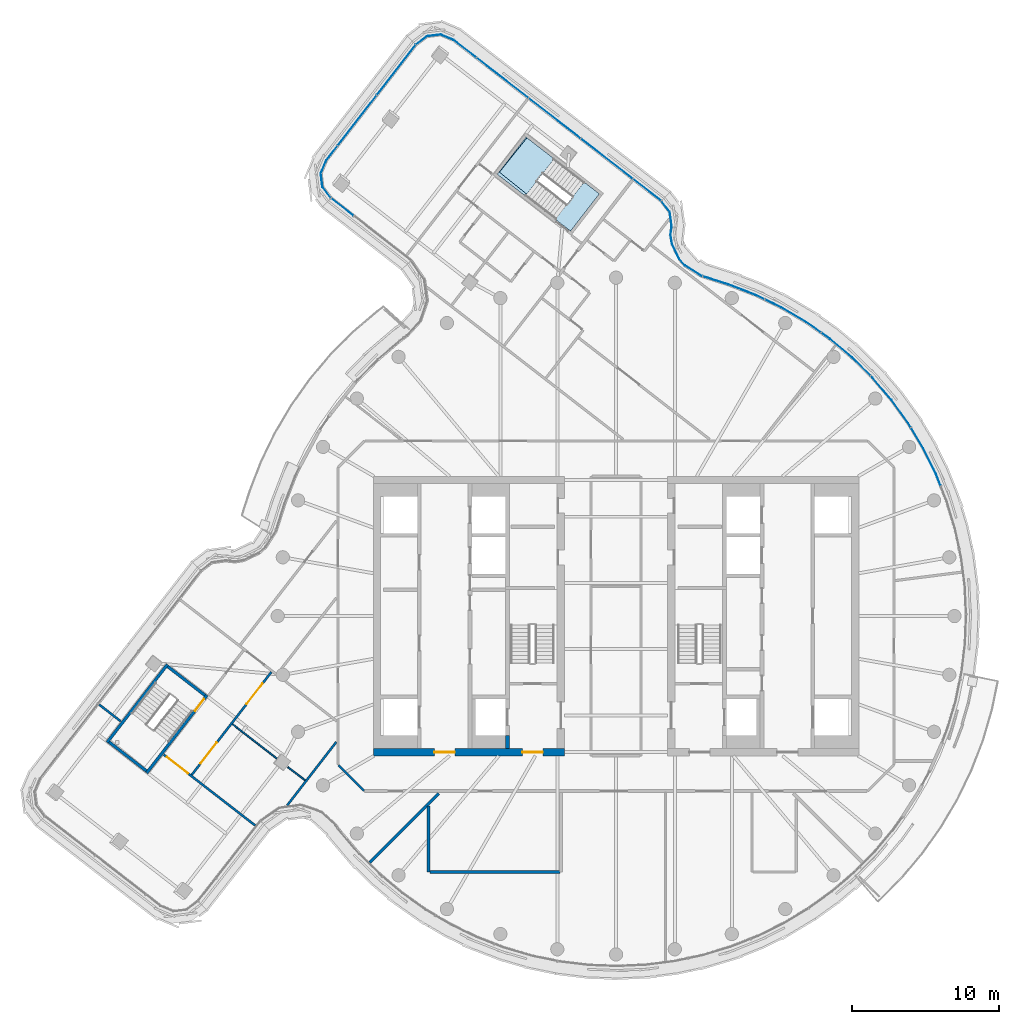
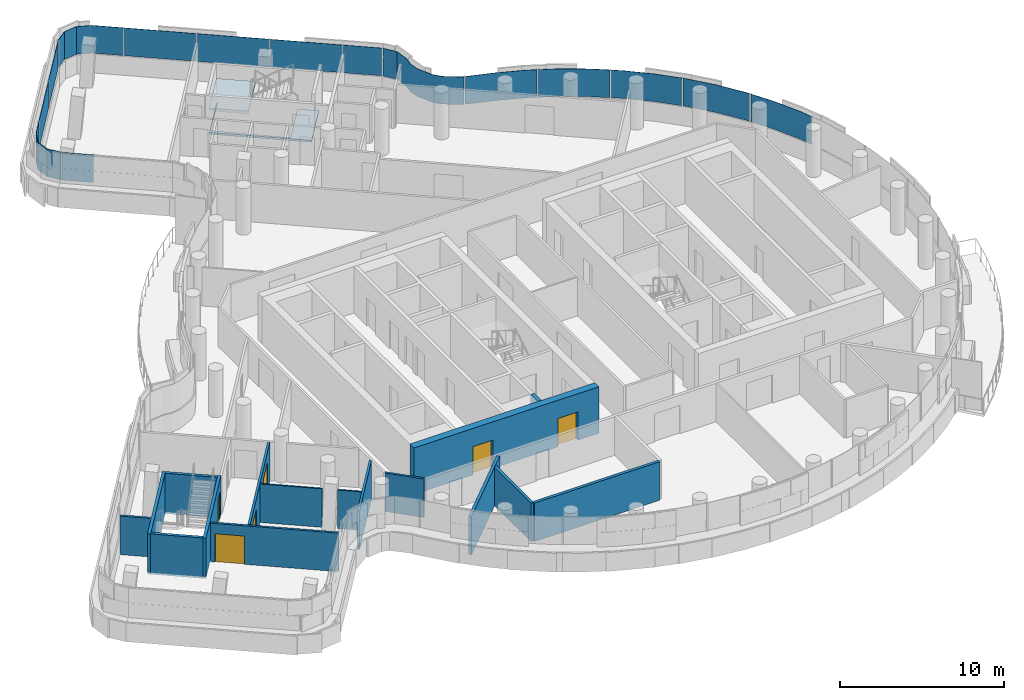
# One storey, part 16 of 26: 16 walls, 15 plates, 6 doors, 2 slabs, 6 openings, 5 elements without a shape of their own.
"""IFC4 building model written with IfcOpenShell, lengths in metres."""

from ifc_helpers import new_model, si_unit, direction, frame, frame_2d, origin, place, context, subcontext, project, spatial, polyline, rectangle, outline, extrude, material, layer, layer_set, type_object, element, fill, aggregate, save


model = new_model("IFC4")

# Units and contexts
model_context = context("Model", 3, precision=1e-05, world=origin(), true_north=direction((0.0, 1.0)))
body_context = subcontext(model_context, "Body", "Model", "MODEL_VIEW")
ifc_project = project(units=[si_unit("LENGTHUNIT", "METRE"), si_unit("AREAUNIT", "SQUARE_METRE"), si_unit("VOLUMEUNIT", "CUBIC_METRE"), si_unit("PLANEANGLEUNIT", "RADIAN"), si_unit("MASSUNIT", "GRAM", prefix="KILO")], contexts=[model_context])

# Site, building, storey
site_placement = place(None, origin())
site = spatial("IfcSite", under=ifc_project, at=site_placement, CompositionType="ELEMENT")
building_placement = place(site_placement, origin())
building = spatial("IfcBuilding", under=site, at=building_placement, Name="Tamarind Cross Interchange Tower", CompositionType="ELEMENT")
storey_placement = place(building_placement, frame((0.0, 0.0, 223.5)))
storey = spatial("IfcBuildingStorey", under=building, at=storey_placement, Name="L56", CompositionType="ELEMENT", Elevation=223.5)

# Slab
ifc_material_1 = material(Name="Concrete C35", Category="concrete")
ifc_layer_1 = layer(ifc_material_1, 0.139892578125)
ifc_layer_set_1 = layer_set([ifc_layer_1], Name="Concrete C35")
slab_type_1 = type_object("IfcSlabType", Name="Composite slab 140 Concrete C35", PredefinedType="FLOOR", material=ifc_layer_set_1)
slab_1_placement = place(storey_placement, frame((0.0, 0.0, -0.139892578125)))
element("IfcSlab", 1, at=slab_1_placement, inside=storey, type_object=slab_type_1, Name="Floor slab L56", PredefinedType="FLOOR", context=body_context, shape_type="SweptSolid", body=[
    extrude(outline(polyline([(-6.11669921875, 32.556396484375), (-8.076416015625, 30.0263671875), (-3.095703125, 26.168701171875), (-1.135986328125, 28.698486328125), (-2.10791015625, 29.451171875), (-2.17333984375, 29.501953125), (-4.062255859375, 27.063232421875), (-7.9287109375, 30.17236328125), (-6.052001953125, 32.506103515625), (-6.11669921875, 32.556396484375)])), origin(), (0.0, 0.0, 1.0), 0.139892578125),
])

# Stair, slab
ifc_material_2 = material(Name="Exit stair")
stair_type = type_object("IfcStairType", Name="Exit stair", PredefinedType="HALF_TURN_STAIR", material=ifc_material_2)
stair_placement = place(storey_placement, origin())
stair = element("IfcStair", 2, at=stair_placement, inside=storey, type_object=stair_type, Name="L56 exit stair ST4", PredefinedType="HALF_TURN_STAIR")
ifc_material_3 = material(Name="Concrete C40", Category="concrete")
ifc_layer_2 = layer(ifc_material_3, 0.199951171875)
ifc_layer_set_2 = layer_set([ifc_layer_2], Name="Concrete C40")
slab_type_2 = type_object("IfcSlabType", Name="Stair landing", PredefinedType="LANDING", material=ifc_layer_set_2)
slab_2_placement = place(storey_placement, frame((0.0, 0.0, 1.60009765625)))
slab_2 = element("IfcSlab", 3, at=slab_2_placement, type_object=slab_type_2, Name="ST4 landing 1", PredefinedType="LANDING", context=body_context, shape_type="SweptSolid", body=[
    extrude(outline(polyline([(-4.2099609375, 31.079345703125), (-6.11669921875, 32.556396484375), (-8.076171875, 30.0263671875), (-6.16943359375, 28.54931640625), (-4.2099609375, 31.079345703125)])), origin(), (0.0, 0.0, 1.0), 0.199951171875),
])
aggregate(stair, [slab_2])

# Curtain wall, plates
ifc_material_4 = material(Name="Aluminium 6063-T6", Category="aluminium")
ifc_layer_3 = layer(ifc_material_4, 0.139892578125)
ifc_layer_set_3 = layer_set([ifc_layer_3], Name="Aluminium 6063-T6")
curtain_wall_type = type_object("IfcCurtainWallType", Name="Hotel curtain wall, 4.5 m bays", PredefinedType="NOTDEFINED", material=ifc_layer_set_3)
curtain_wall_1_placement = place(storey_placement, origin())
curtain_wall_1 = element("IfcCurtainWall", 4, at=curtain_wall_1_placement, inside=storey, type_object=curtain_wall_type, Name="CWS-L56-02", PredefinedType="NOTDEFINED")
ifc_material_5 = material(Name="Laminated low-e glass 6+1.52+6", Category="glass")
ifc_layer_4 = layer(ifc_material_5, 0.02392578125)
ifc_layer_set_4 = layer_set([ifc_layer_4], Name="Laminated low-e glass 6+1.52+6")
plate_type = type_object("IfcPlateType", Name="Vision panel CW2", PredefinedType="CURTAIN_PANEL", material=ifc_layer_set_4)
plate_1_placement = place(storey_placement, frame((0.0, 0.0, 1.39990234375)))
plate_1 = element("IfcPlate", 5, at=plate_1_placement, type_object=plate_type, Name="CWP-L56-02-16", PredefinedType="CURTAIN_PANEL", context=body_context, shape_type="SweptSolid", body=[
    extrude(outline(polyline([(22.0478515625, 8.86669921875), (21.7392578125, 9.6474609375), (20.868408203125, 11.40966796875), (20.04345703125, 12.780517578125), (20.06396484375, 12.79296875), (20.889404296875, 11.421142578125), (21.76123046875, 9.6572265625), (22.070068359375, 8.87548828125), (22.0478515625, 8.86669921875)])), origin(), (0.0, 0.0, 1.0), 2.06005859375),
])
plate_2_placement = place(storey_placement, frame((0.0, 0.0, 1.39990234375)))
plate_2 = element("IfcPlate", 6, at=plate_2_placement, type_object=plate_type, Name="CWP-L56-02-17", PredefinedType="CURTAIN_PANEL", context=body_context, shape_type="SweptSolid", body=[
    extrude(outline(polyline([(20.012451171875, 12.83203125), (19.854736328125, 13.093994140625), (18.705810546875, 14.68896484375), (17.4287109375, 16.183349609375), (17.310791015625, 16.300537109375), (17.32763671875, 16.317626953125), (17.4462890625, 16.19970703125), (18.724609375, 14.703857421875), (19.874755859375, 13.107177734375), (20.032958984375, 12.84423828125), (20.012451171875, 12.83203125)])), origin(), (0.0, 0.0, 1.0), 2.06005859375),
])
plate_3_placement = place(storey_placement, frame((0.0, 0.0, 1.39990234375)))
plate_3 = element("IfcPlate", 7, at=plate_3_placement, type_object=plate_type, Name="CWP-L56-02-18", PredefinedType="CURTAIN_PANEL", context=body_context, shape_type="SweptSolid", body=[
    extrude(outline(polyline([(17.26806640625, 16.3427734375), (16.032958984375, 17.5673828125), (14.52734375, 18.83154296875), (13.9560546875, 19.235595703125), (13.969970703125, 19.25537109375), (14.5419921875, 18.850341796875), (16.049072265625, 17.585205078125), (17.28515625, 16.35986328125), (17.26806640625, 16.3427734375)])), origin(), (0.0, 0.0, 1.0), 2.06005859375),
])
plate_4_placement = place(storey_placement, frame((0.0, 0.0, 1.39990234375)))
plate_4 = element("IfcPlate", 8, at=plate_4_placement, type_object=plate_type, Name="CWP-L56-02-19", PredefinedType="CURTAIN_PANEL", context=body_context, shape_type="SweptSolid", body=[
    extrude(outline(polyline([(13.906982421875, 19.270263671875), (12.922607421875, 19.966796875), (11.229736328125, 20.9658203125), (10.119140625, 21.502685546875), (10.12939453125, 21.5244140625), (11.240966796875, 20.98681640625), (12.935791015625, 19.987060546875), (13.9208984375, 19.2900390625), (13.906982421875, 19.270263671875)])), origin(), (0.0, 0.0, 1.0), 2.06005859375),
])
plate_5_placement = place(storey_placement, frame((0.0, 0.0, 1.39990234375)))
plate_5 = element("IfcPlate", 9, at=plate_5_placement, type_object=plate_type, Name="CWP-L56-02-20", PredefinedType="CURTAIN_PANEL", context=body_context, shape_type="SweptSolid", body=[
    extrude(outline(polyline([(10.06494140625, 21.52880859375), (9.4599609375, 21.821533203125), (7.623291015625, 22.529052734375), (5.907470703125, 23.07763671875), (5.914794921875, 23.1005859375), (7.63134765625, 22.5517578125), (9.469482421875, 21.843505859375), (10.075439453125, 21.550537109375), (10.06494140625, 21.52880859375)])), origin(), (0.0, 0.0, 1.0), 2.06005859375),
])
plate_6_placement = place(storey_placement, frame((0.0, 0.0, 1.39990234375)))
plate_6 = element("IfcPlate", 10, at=plate_6_placement, type_object=plate_type, Name="CWP-L56-02-21", PredefinedType="CURTAIN_PANEL", context=body_context, shape_type="SweptSolid", body=[
    extrude(outline(polyline([(5.850341796875, 23.095947265625), (5.768798828125, 23.1220703125), (4.679931640625, 23.818603515625), (4.28271484375, 24.269775390625), (3.789306640625, 25.312255859375), (3.692138671875, 25.9052734375), (3.767333984375, 26.54248046875), (3.636962890625, 27.468017578125), (3.08544921875, 28.18701171875), (3.1044921875, 28.20166015625), (3.659912109375, 27.477783203125), (3.79150390625, 26.542724609375), (3.71630859375, 25.90576171875), (3.8125, 25.3193359375), (4.302978515625, 24.282958984375), (4.695556640625, 23.8369140625), (5.779052734375, 23.143798828125), (5.857666015625, 23.118896484375), (5.850341796875, 23.095947265625)])), origin(), (0.0, 0.0, 1.0), 2.06005859375),
])
aggregate(curtain_wall_1, [plate_1, plate_2, plate_3, plate_4, plate_5, plate_6])

curtain_wall_2_placement = place(storey_placement, origin())
curtain_wall_2 = element("IfcCurtainWall", 11, at=curtain_wall_2_placement, inside=storey, type_object=curtain_wall_type, Name="CWS-L56-03", PredefinedType="NOTDEFINED")
plate_7_placement = place(storey_placement, frame((0.0, 0.0, 1.39990234375)))
plate_7 = element("IfcPlate", 12, at=plate_7_placement, type_object=plate_type, Name="CWP-L56-03-00", PredefinedType="CURTAIN_PANEL", context=body_context, shape_type="SweptSolid", body=[
    extrude(outline(polyline([(3.045654296875, 28.22705078125), (1.161376953125, 29.6865234375), (1.176025390625, 29.70556640625), (3.060302734375, 28.24609375), (3.045654296875, 28.22705078125)])), origin(), (0.0, 0.0, 1.0), 2.06005859375),
])
plate_8_placement = place(storey_placement, frame((0.0, 0.0, 1.39990234375)))
plate_8 = element("IfcPlate", 13, at=plate_8_placement, type_object=plate_type, Name="CWP-L56-03-01", PredefinedType="CURTAIN_PANEL", context=body_context, shape_type="SweptSolid", body=[
    extrude(outline(polyline([(1.114013671875, 29.72314453125), (-2.385986328125, 32.43408203125), (-2.37109375, 32.453125), (1.128662109375, 29.7421875), (1.114013671875, 29.72314453125)])), origin(), (0.0, 0.0, 1.0), 2.06005859375),
])
plate_9_placement = place(storey_placement, frame((0.0, 0.0, 1.39990234375)))
plate_9 = element("IfcPlate", 14, at=plate_9_placement, type_object=plate_type, Name="CWP-L56-03-02", PredefinedType="CURTAIN_PANEL", context=body_context, shape_type="SweptSolid", body=[
    extrude(outline(polyline([(-2.433349609375, 32.470703125), (-5.93310546875, 35.181640625), (-5.91845703125, 35.20068359375), (-2.418701171875, 32.48974609375), (-2.433349609375, 32.470703125)])), origin(), (0.0, 0.0, 1.0), 2.06005859375),
])
plate_10_placement = place(storey_placement, frame((0.0, 0.0, 1.39990234375)))
plate_10 = element("IfcPlate", 15, at=plate_10_placement, type_object=plate_type, Name="CWP-L56-03-03", PredefinedType="CURTAIN_PANEL", context=body_context, shape_type="SweptSolid", body=[
    extrude(outline(polyline([(-5.98046875, 35.218505859375), (-9.48046875, 37.92919921875), (-9.465576171875, 37.9482421875), (-5.9658203125, 35.2373046875), (-5.98046875, 35.218505859375)])), origin(), (0.0, 0.0, 1.0), 2.06005859375),
])
plate_11_placement = place(storey_placement, frame((0.0, 0.0, 1.39990234375)))
plate_11 = element("IfcPlate", 16, at=plate_11_placement, type_object=plate_type, Name="CWP-L56-03-04", PredefinedType="CURTAIN_PANEL", context=body_context, shape_type="SweptSolid", body=[
    extrude(outline(polyline([(-9.52783203125, 37.966064453125), (-11.055908203125, 39.149658203125), (-11.9326171875, 39.517333984375), (-12.846923828125, 39.401123046875), (-13.5810546875, 38.84326171875), (-13.595458984375, 38.8623046875), (-12.856201171875, 39.42431640625), (-11.92919921875, 39.5419921875), (-11.043701171875, 39.170654296875), (-9.51318359375, 37.98486328125), (-9.52783203125, 37.966064453125)])), origin(), (0.0, 0.0, 1.0), 2.06005859375),
])
aggregate(curtain_wall_2, [plate_7, plate_8, plate_9, plate_10, plate_11])

curtain_wall_3_placement = place(storey_placement, origin())
curtain_wall_3 = element("IfcCurtainWall", 17, at=curtain_wall_3_placement, inside=storey, type_object=curtain_wall_type, Name="CWS-L56-04", PredefinedType="NOTDEFINED")
plate_12_placement = place(storey_placement, frame((0.0, 0.0, 1.39990234375)))
plate_12 = element("IfcPlate", 18, at=plate_12_placement, type_object=plate_type, Name="CWP-L56-04-00", PredefinedType="CURTAIN_PANEL", context=body_context, shape_type="SweptSolid", body=[
    extrude(outline(polyline([(-13.62109375, 38.803466796875), (-16.245361328125, 35.415283203125), (-16.264404296875, 35.43017578125), (-13.639892578125, 38.818115234375), (-13.62109375, 38.803466796875)])), origin(), (0.0, 0.0, 1.0), 2.06005859375),
])
plate_13_placement = place(storey_placement, frame((0.0, 0.0, 1.39990234375)))
plate_13 = element("IfcPlate", 19, at=plate_13_placement, type_object=plate_type, Name="CWP-L56-04-01", PredefinedType="CURTAIN_PANEL", context=body_context, shape_type="SweptSolid", body=[
    extrude(outline(polyline([(-16.281982421875, 35.367919921875), (-18.906494140625, 31.979736328125), (-18.92529296875, 31.99462890625), (-16.301025390625, 35.382568359375), (-16.281982421875, 35.367919921875)])), origin(), (0.0, 0.0, 1.0), 2.06005859375),
])
plate_14_placement = place(storey_placement, frame((0.0, 0.0, 1.39990234375)))
plate_14 = element("IfcPlate", 20, at=plate_14_placement, type_object=plate_type, Name="CWP-L56-04-02", PredefinedType="CURTAIN_PANEL", context=body_context, shape_type="SweptSolid", body=[
    extrude(outline(polyline([(-18.943115234375, 31.932373046875), (-19.69287109375, 30.96435546875), (-20.060791015625, 30.087646484375), (-19.944580078125, 29.17333984375), (-19.38623046875, 28.43896484375), (-19.405517578125, 28.424560546875), (-19.967529296875, 29.1640625), (-20.08544921875, 30.091064453125), (-19.7138671875, 30.9765625), (-18.962158203125, 31.947021484375), (-18.943115234375, 31.932373046875)])), origin(), (0.0, 0.0, 1.0), 2.06005859375),
])
aggregate(curtain_wall_3, [plate_12, plate_13, plate_14])

# Curtain wall, plate
curtain_wall_4_placement = place(storey_placement, origin())
curtain_wall_4 = element("IfcCurtainWall", 21, at=curtain_wall_4_placement, inside=storey, type_object=curtain_wall_type, Name="CWS-L56-05", PredefinedType="NOTDEFINED")
plate_15_placement = place(storey_placement, frame((0.0, 0.0, 1.39990234375)))
plate_15 = element("IfcPlate", 22, at=plate_15_placement, type_object=plate_type, Name="CWP-L56-05-00", PredefinedType="CURTAIN_PANEL", context=body_context, shape_type="SweptSolid", body=[
    extrude(outline(polyline([(-19.3466796875, 28.39892578125), (-17.840087890625, 27.222412109375), (-17.85498046875, 27.20361328125), (-19.361328125, 28.3798828125), (-19.3466796875, 28.39892578125)])), origin(), (0.0, 0.0, 1.0), 2.06005859375),
])
aggregate(curtain_wall_4, [plate_15])

# Wall, openings, doors
ifc_material_6 = material(Name="Concrete C50", Category="concrete")
ifc_layer_5 = layer(ifc_material_6, 0.5)
ifc_layer_set_5 = layer_set([ifc_layer_5], Name="Concrete C50")
wall_type_1 = type_object("IfcWallType", Name="Core wall 500 mm Concrete C50", PredefinedType="SHEAR", material=ifc_layer_set_5)
wall_1_placement = place(storey_placement, frame((-16.5, -9.25, 0.0), z_axis=(0.0, 0.0, 1.0), x_axis=(1.0, 0.0, 0.0)))
wall_1 = element("IfcWall", 23, at=wall_1_placement, inside=storey, type_object=wall_type_1, Name="Core wall CWL-L56-W-S", PredefinedType="SHEAR", context=body_context, shape_type="SweptSolid", body=[
    extrude(rectangle(XDim=13.0, YDim=0.5, at=frame_2d((6.5, 0.0))), origin(), (0.0, 0.0, 1.0), 3.4599609375),
])
opening_1_placement = place(wall_1_placement, frame((4.14990234375, 0.0, 0.0)))
opening_1 = element("IfcOpeningElement", 24, at=opening_1_placement, cuts=wall_1, Name="Opening DCW1", PredefinedType="OPENING", context=body_context, shape_type="SweptSolid", body=[
    extrude(rectangle(XDim=1.39990234375, YDim=2.10009765625, at=frame_2d((0.699951171875, 1.050048828125))), frame((0.0, 0.260009765625, 0.0), z_axis=(0.0, -1.0, 0.0), x_axis=(1.0, 0.0, 0.0)), (0.0, 0.0, 1.0), 0.52001953125),
])
opening_2_placement = place(wall_1_placement, frame((10.125, 0.0, 0.0)))
opening_2 = element("IfcOpeningElement", 25, at=opening_2_placement, cuts=wall_1, Name="Opening DCWF", PredefinedType="OPENING", context=body_context, shape_type="SweptSolid", body=[
    extrude(rectangle(XDim=1.39990234375, YDim=2.10009765625, at=frame_2d((0.699951171875, 1.050048828125))), frame((0.0, 0.260009765625, 0.0), z_axis=(0.0, -1.0, 0.0), x_axis=(1.0, 0.0, 0.0)), (0.0, 0.0, 1.0), 0.52001953125),
])
ifc_material_7 = material(Name="Steel, fire-resisting", Category="steel")
door_type_1 = type_object("IfcDoorType", Name="Core fire door 1400 x 2100 FD90", OperationType="SINGLE_SWING_LEFT", PredefinedType="DOOR", material=ifc_material_7)
door_1_placement = place(opening_1_placement, origin())
door_1 = element("IfcDoor", 26, at=door_1_placement, inside=storey, type_object=door_type_1, Name="L56 lift lobby door", OperationType="SINGLE_SWING_LEFT", OverallHeight=2.10009765625, OverallWidth=1.39990234375, PredefinedType="DOOR", context=body_context, shape_type="SweptSolid", body=[
    extrude(rectangle(XDim=1.39990234375, YDim=2.10009765625, at=frame_2d((0.699951171875, 1.050048828125))), frame((0.0, 0.02490234375, 0.0), z_axis=(0.0, -1.0, 0.0), x_axis=(1.0, 0.0, 0.0)), (0.0, 0.0, 1.0), 0.050048828125),
])
fill(opening_1, door_1)
door_2_placement = place(opening_2_placement, origin())
door_2 = element("IfcDoor", 27, at=door_2_placement, inside=storey, type_object=door_type_1, Name="L56 firefighting lobby end door", OperationType="SINGLE_SWING_LEFT", OverallHeight=2.10009765625, OverallWidth=1.39990234375, PredefinedType="DOOR", context=body_context, shape_type="SweptSolid", body=[
    extrude(rectangle(XDim=1.39990234375, YDim=2.10009765625, at=frame_2d((0.699951171875, 1.050048828125))), frame((0.0, 0.02490234375, 0.0), z_axis=(0.0, -1.0, 0.0), x_axis=(1.0, 0.0, 0.0)), (0.0, 0.0, 1.0), 0.050048828125),
])
fill(opening_2, door_2)

# Walls
ifc_layer_6 = layer(ifc_material_6, 0.25)
ifc_layer_set_6 = layer_set([ifc_layer_6], Name="Concrete C50")
wall_type_2 = type_object("IfcWallType", Name="Core web wall 250 mm Concrete C50", PredefinedType="SHEAR", material=ifc_layer_set_6)
wall_2_placement = place(storey_placement, frame((-7.375, -9.0, 0.0), z_axis=(0.0, 0.0, 1.0), x_axis=(0.0, 1.0, 0.0)))
element("IfcWall", 28, at=wall_2_placement, inside=storey, type_object=wall_type_2, Name="Core wall CWL-L56-W-BW", PredefinedType="SHEAR", context=body_context, shape_type="SweptSolid", body=[
    extrude(rectangle(XDim=0.875, YDim=0.25, at=frame_2d((0.4375, 0.0))), origin(), (0.0, 0.0, 1.0), 3.4599609375),
])
ifc_material_8 = material(Name="Gypsum board partition on steel studs", Category="steel")
ifc_layer_7 = layer(ifc_material_8, 0.10009765625)
ifc_layer_set_7 = layer_set([ifc_layer_7], Name="Gypsum board partition on steel studs")
wall_type_3 = type_object("IfcWallType", Name="Partition 100 mm EI 90", PredefinedType="PARTITIONING", material=ifc_layer_set_7)
wall_3_placement = place(storey_placement, frame((-26.07470703125, -7.343017578125, 0.0), z_axis=(0.0, 0.0, 1.0), x_axis=(0.790607822881, -0.612322848177, 0.0)))
element("IfcWall", 29, at=wall_3_placement, inside=storey, type_object=wall_type_3, Name="Partition L56-008", PredefinedType="PARTITIONING", context=body_context, shape_type="SweptSolid", body=[
    extrude(rectangle(XDim=3.81640625, YDim=0.10009765625, at=frame_2d((1.908203125, 0.0))), origin(), (0.0, 0.0, 1.0), 2.864013671875),
])
wall_4_placement = place(storey_placement, frame((-22.302978515625, -10.26416015625, 0.0), z_axis=(0.0, 0.0, 1.0), x_axis=(0.790625450637, -0.612300087216, 0.0)))
element("IfcWall", 30, at=wall_4_placement, inside=storey, type_object=wall_type_3, Name="Partition L56-009", PredefinedType="PARTITIONING", context=body_context, shape_type="SweptSolid", body=[
    extrude(rectangle(XDim=1.474609375, YDim=0.10009765625, at=frame_2d((0.7373046875, 0.0))), origin(), (0.0, 0.0, 1.0), 2.864013671875),
])
ifc_layer_8 = layer(ifc_material_8, 0.14990234375)
ifc_layer_set_8 = layer_set([ifc_layer_8], Name="Gypsum board partition on steel studs")
wall_type_4 = type_object("IfcWallType", Name="Partition 150 mm EI 120", PredefinedType="PARTITIONING", material=ifc_layer_set_8)
wall_5_placement = place(storey_placement, frame((-18.87158203125, -10.12841796875, 0.0), z_axis=(0.0, 0.0, 1.0), x_axis=(0.707106781187, -0.707106781187, 0.0)))
element("IfcWall", 31, at=wall_5_placement, inside=storey, type_object=wall_type_4, Name="Partition L56-001", PredefinedType="PARTITIONING", context=body_context, shape_type="SweptSolid", body=[
    extrude(rectangle(XDim=2.455078125, YDim=0.14990234375, at=frame_2d((1.2275390625, 0.0))), origin(), (0.0, 0.0, 1.0), 2.864013671875),
])
wall_6_placement = place(storey_placement, frame((-35.134521484375, -6.017578125, 0.0), z_axis=(0.0, 0.0, 1.0), x_axis=(0.79053906344, -0.61241161744, 0.0)))
element("IfcWall", 32, at=wall_6_placement, inside=storey, type_object=wall_type_4, Name="Partition L56-004", PredefinedType="PARTITIONING", context=body_context, shape_type="SweptSolid", body=[
    extrude(rectangle(XDim=1.858642578125, YDim=0.14990234375, at=frame_2d((0.92919921875, 0.0))), origin(), (0.0, 0.0, 1.0), 2.864013671875),
])

# Wall, opening, door
wall_7_placement = place(storey_placement, frame((-30.755615234375, -9.409912109375, 0.0), z_axis=(0.0, 0.0, 1.0), x_axis=(0.79054960113, -0.612398014491, 0.0)))
wall_7 = element("IfcWall", 33, at=wall_7_placement, inside=storey, type_object=wall_type_4, Name="Partition L56-005", PredefinedType="PARTITIONING", context=body_context, shape_type="SweptSolid", body=[
    extrude(rectangle(XDim=7.884033203125, YDim=0.14990234375, at=frame_2d((3.94189453125, 0.0))), origin(), (0.0, 0.0, 1.0), 2.864013671875),
])
opening_3_placement = place(wall_7_placement, frame((0.300048828125, 0.0, 0.0)))
opening_3 = element("IfcOpeningElement", 34, at=opening_3_placement, cuts=wall_7, Name="Opening D01", PredefinedType="OPENING", context=body_context, shape_type="SweptSolid", body=[
    extrude(rectangle(XDim=1.800048828125, YDim=2.10009765625, at=frame_2d((0.89990234375, 1.050048828125))), frame((0.0, 0.0849609375, 0.0), z_axis=(0.0, -1.0, 0.0), x_axis=(1.0, 0.0, 0.0)), (0.0, 0.0, 1.0), 0.169921875),
])
ifc_material_9 = material(Name="Fire-resisting door set")
door_type_2 = type_object("IfcDoorType", Name="Interior door 1800 x 2100 FD60S", OperationType="DOUBLE_DOOR_SINGLE_SWING", PredefinedType="DOOR", material=ifc_material_9)
door_3_placement = place(opening_3_placement, frame((1.800048828125, 0.0, 0.0), z_axis=(0.0, 0.0, 1.0), x_axis=(-1.0, 0.0, 0.0)))
door_3 = element("IfcDoor", 35, at=door_3_placement, inside=storey, type_object=door_type_2, Name="Door D01", OperationType="DOUBLE_DOOR_SINGLE_SWING", OverallHeight=2.10009765625, OverallWidth=1.800048828125, PredefinedType="DOOR", context=body_context, shape_type="SweptSolid", body=[
    extrude(rectangle(XDim=1.800048828125, YDim=2.10009765625, at=frame_2d((0.89990234375, 1.050048828125))), frame((0.0, 0.02490234375, 0.0), z_axis=(0.0, -1.0, 0.0), x_axis=(1.0, 0.0, 0.0)), (0.0, 0.0, 1.0), 0.050048828125),
])
fill(opening_3, door_3)

# Wall, openings, doors
wall_8_placement = place(storey_placement, frame((-28.840087890625, -10.790771484375, 0.0), z_axis=(0.0, 0.0, 1.0), x_axis=(0.612344743966, 0.790590864188, 0.0)))
wall_8 = element("IfcWall", 36, at=wall_8_placement, inside=storey, type_object=wall_type_4, Name="Partition L56-035", PredefinedType="PARTITIONING", context=body_context, shape_type="SweptSolid", body=[
    extrude(rectangle(XDim=8.83984375, YDim=0.14990234375, at=frame_2d((4.419921875, 0.0))), origin(), (0.0, 0.0, 1.0), 2.864013671875),
])
opening_4_placement = place(wall_8_placement, frame((6.069091796875, 0.0, 0.0)))
opening_4 = element("IfcOpeningElement", 37, at=opening_4_placement, cuts=wall_8, Name="Opening D21", PredefinedType="OPENING", context=body_context, shape_type="SweptSolid", body=[
    extrude(rectangle(XDim=1.800048828125, YDim=2.10009765625, at=frame_2d((0.89990234375, 1.050048828125))), frame((0.0, 0.0849609375, 0.0), z_axis=(0.0, -1.0, 0.0), x_axis=(1.0, 0.0, 0.0)), (0.0, 0.0, 1.0), 0.169921875),
])
opening_5_placement = place(wall_8_placement, frame((0.969970703125, 0.0, 0.0)))
opening_5 = element("IfcOpeningElement", 38, at=opening_5_placement, cuts=wall_8, Name="Opening D22", PredefinedType="OPENING", context=body_context, shape_type="SweptSolid", body=[
    extrude(rectangle(XDim=1.800048828125, YDim=2.10009765625, at=frame_2d((0.89990234375, 1.050048828125))), frame((0.0, 0.0849609375, 0.0), z_axis=(0.0, -1.0, 0.0), x_axis=(1.0, 0.0, 0.0)), (0.0, 0.0, 1.0), 0.169921875),
])
door_4_placement = place(opening_4_placement, frame((1.800048828125, 0.0, 0.0), z_axis=(0.0, 0.0, 1.0), x_axis=(-1.0, 0.0, 0.0)))
door_4 = element("IfcDoor", 39, at=door_4_placement, inside=storey, type_object=door_type_2, Name="Door D21", OperationType="DOUBLE_DOOR_SINGLE_SWING", OverallHeight=2.10009765625, OverallWidth=1.800048828125, PredefinedType="DOOR", context=body_context, shape_type="SweptSolid", body=[
    extrude(rectangle(XDim=1.800048828125, YDim=2.10009765625, at=frame_2d((0.89990234375, 1.050048828125))), frame((0.0, 0.02490234375, 0.0), z_axis=(0.0, -1.0, 0.0), x_axis=(1.0, 0.0, 0.0)), (0.0, 0.0, 1.0), 0.050048828125),
])
fill(opening_4, door_4)
door_5_placement = place(opening_5_placement, frame((1.800048828125, 0.0, 0.0), z_axis=(0.0, 0.0, 1.0), x_axis=(-1.0, 0.0, 0.0)))
door_5 = element("IfcDoor", 40, at=door_5_placement, inside=storey, type_object=door_type_2, Name="Door D22", OperationType="DOUBLE_DOOR_SINGLE_SWING", OverallHeight=2.10009765625, OverallWidth=1.800048828125, PredefinedType="DOOR", context=body_context, shape_type="SweptSolid", body=[
    extrude(rectangle(XDim=1.800048828125, YDim=2.10009765625, at=frame_2d((0.89990234375, 1.050048828125))), frame((0.0, 0.02490234375, 0.0), z_axis=(0.0, -1.0, 0.0), x_axis=(1.0, 0.0, 0.0)), (0.0, 0.0, 1.0), 0.050048828125),
])
fill(opening_5, door_5)

# Walls
wall_9_placement = place(storey_placement, frame((-22.353759765625, -12.86767578125, 0.0), z_axis=(0.0, 0.0, 1.0), x_axis=(0.61237013934, 0.790571193787, 0.0)))
element("IfcWall", 41, at=wall_9_placement, inside=storey, type_object=wall_type_4, Name="Partition L56-039", PredefinedType="PARTITIONING", context=body_context, shape_type="SweptSolid", body=[
    extrude(rectangle(XDim=5.449951171875, YDim=0.14990234375, at=frame_2d((2.72509765625, 0.0))), origin(), (0.0, 0.0, 1.0), 2.864013671875),
])
ifc_layer_9 = layer(ifc_material_8, 0.199951171875)
ifc_layer_set_9 = layer_set([ifc_layer_9], Name="Gypsum board partition on steel studs")
wall_type_5 = type_object("IfcWallType", Name="Partition 200 mm EI 180", PredefinedType="PARTITIONING", material=ifc_layer_set_9)
wall_10_placement = place(storey_placement, frame((-12.660888671875, -17.39990234375, 0.0), z_axis=(0.0, 0.0, 1.0), x_axis=(1.0, 0.0, 0.0)))
element("IfcWall", 42, at=wall_10_placement, inside=storey, type_object=wall_type_5, Name="Partition L56-025", PredefinedType="PARTITIONING", context=body_context, shape_type="SweptSolid", body=[
    extrude(rectangle(XDim=8.8349609375, YDim=0.199951171875, at=frame_2d((4.41748046875, 0.0))), origin(), (0.0, 0.0, 1.0), 2.864013671875),
])
wall_11_placement = place(storey_placement, frame((-16.740478515625, -16.740478515625, 0.0), z_axis=(0.0, 0.0, 1.0), x_axis=(0.707106781187, 0.707106781187, 0.0)))
element("IfcWall", 43, at=wall_11_placement, inside=storey, type_object=wall_type_5, Name="Partition L56-033", PredefinedType="PARTITIONING", context=body_context, shape_type="SweptSolid", body=[
    extrude(rectangle(XDim=6.630615234375, YDim=0.199951171875, at=frame_2d((3.3154296875, 0.0))), origin(), (0.0, 0.0, 1.0), 2.864013671875),
])
wall_12_placement = place(storey_placement, frame((-12.740966796875, -17.39990234375, 0.0), z_axis=(0.0, 0.0, 1.0), x_axis=(0.0, 1.0, 0.0)))
element("IfcWall", 44, at=wall_12_placement, inside=storey, type_object=wall_type_5, Name="Partition L56-054", PredefinedType="PARTITIONING", context=body_context, shape_type="SweptSolid", body=[
    extrude(rectangle(XDim=4.4990234375, YDim=0.199951171875, at=frame_2d((2.24951171875, 0.0))), origin(), (0.0, 0.0, 1.0), 2.864013671875),
])

# Wall, opening, door
ifc_layer_10 = layer(ifc_material_3, 0.199951171875)
ifc_layer_set_10 = layer_set([ifc_layer_10], Name="Concrete C40")
wall_type_6 = type_object("IfcWallType", Name="Stair shaft wall 200 mm Concrete C40", PredefinedType="SHEAR", material=ifc_layer_set_10)
wall_13_placement = place(storey_placement, frame((-27.80419921875, -5.37060546875, -0.139892578125), z_axis=(0.0, 0.0, 1.0), x_axis=(-0.612357647364, -0.790580869813, 0.0)))
wall_13 = element("IfcWall", 45, at=wall_13_placement, inside=storey, type_object=wall_type_6, Name="Core wall CWL-L56-ST5-H", PredefinedType="SHEAR", context=body_context, shape_type="SweptSolid", body=[
    extrude(rectangle(XDim=6.699951171875, YDim=0.199951171875, at=frame_2d((3.35009765625, 0.0))), origin(), (0.0, 0.0, 1.0), 3.00390625),
])
opening_6_placement = place(wall_13_placement, frame((0.35009765625, 0.0, 0.0)))
opening_6 = element("IfcOpeningElement", 46, at=opening_6_placement, cuts=wall_13, Name="Opening ST5L56", PredefinedType="OPENING", context=body_context, shape_type="SweptSolid", body=[
    extrude(rectangle(XDim=1.0, YDim=2.10009765625, at=frame_2d((0.5, 1.050048828125))), frame((0.0, 0.10986328125, 0.0), z_axis=(0.0, -1.0, 0.0), x_axis=(1.0, 0.0, 0.0)), (0.0, 0.0, 1.0), 0.219970703125),
])
door_type_3 = type_object("IfcDoorType", Name="Core fire door 1000 x 2100 FD90", OperationType="SINGLE_SWING_LEFT", PredefinedType="DOOR", material=ifc_material_7)
door_6_placement = place(opening_6_placement, origin())
door_6 = element("IfcDoor", 47, at=door_6_placement, inside=storey, type_object=door_type_3, Name="L56 stair door ST5", OperationType="SINGLE_SWING_LEFT", OverallHeight=2.10009765625, OverallWidth=1.0, PredefinedType="DOOR", context=body_context, shape_type="SweptSolid", body=[
    extrude(rectangle(XDim=1.0, YDim=2.10009765625, at=frame_2d((0.5, 1.050048828125))), frame((0.0, 0.02490234375, 0.0), z_axis=(0.0, -1.0, 0.0), x_axis=(1.0, 0.0, 0.0)), (0.0, 0.0, 1.0), 0.050048828125),
])
fill(opening_6, door_6)

# Walls
wall_14_placement = place(storey_placement, frame((-30.4921875, -3.28857421875, -0.139892578125), z_axis=(0.0, 0.0, 1.0), x_axis=(-0.612357647364, -0.790580869813, 0.0)))
element("IfcWall", 48, at=wall_14_placement, inside=storey, type_object=wall_type_6, Name="Core wall CWL-L56-ST5-C", PredefinedType="SHEAR", context=body_context, shape_type="SweptSolid", body=[
    extrude(rectangle(XDim=6.699951171875, YDim=0.199951171875, at=frame_2d((3.35009765625, 0.0))), origin(), (0.0, 0.0, 1.0), 3.00390625),
])
wall_15_placement = place(storey_placement, frame((-30.474365234375, -3.4287109375, -0.139892578125), z_axis=(0.0, 0.0, 1.0), x_axis=(0.790611713737, -0.612317824419, 0.0)))
element("IfcWall", 49, at=wall_15_placement, inside=storey, type_object=wall_type_6, Name="Core wall CWL-L56-ST5-CE", PredefinedType="SHEAR", context=body_context, shape_type="SweptSolid", body=[
    extrude(rectangle(XDim=3.2001953125, YDim=0.199951171875, at=frame_2d((1.60009765625, 0.0))), origin(), (0.0, 0.0, 1.0), 3.00390625),
])
wall_16_placement = place(storey_placement, frame((0.0, 0.0, -0.139892578125)))
element("IfcWall", 50, at=wall_16_placement, inside=storey, type_object=wall_type_6, Name="Core wall CWL-L56-ST5-CF", PredefinedType="SHEAR", context=body_context, shape_type="SweptSolid", body=[
    extrude(outline(polyline([(-34.393310546875, -8.488525390625), (-34.515869140625, -8.646484375), (-31.986083984375, -10.606201171875), (-31.863525390625, -10.447998046875), (-34.393310546875, -8.488525390625)])), origin(), (0.0, 0.0, 1.0), 3.00390625),
])

save(model, "model.ifc")
